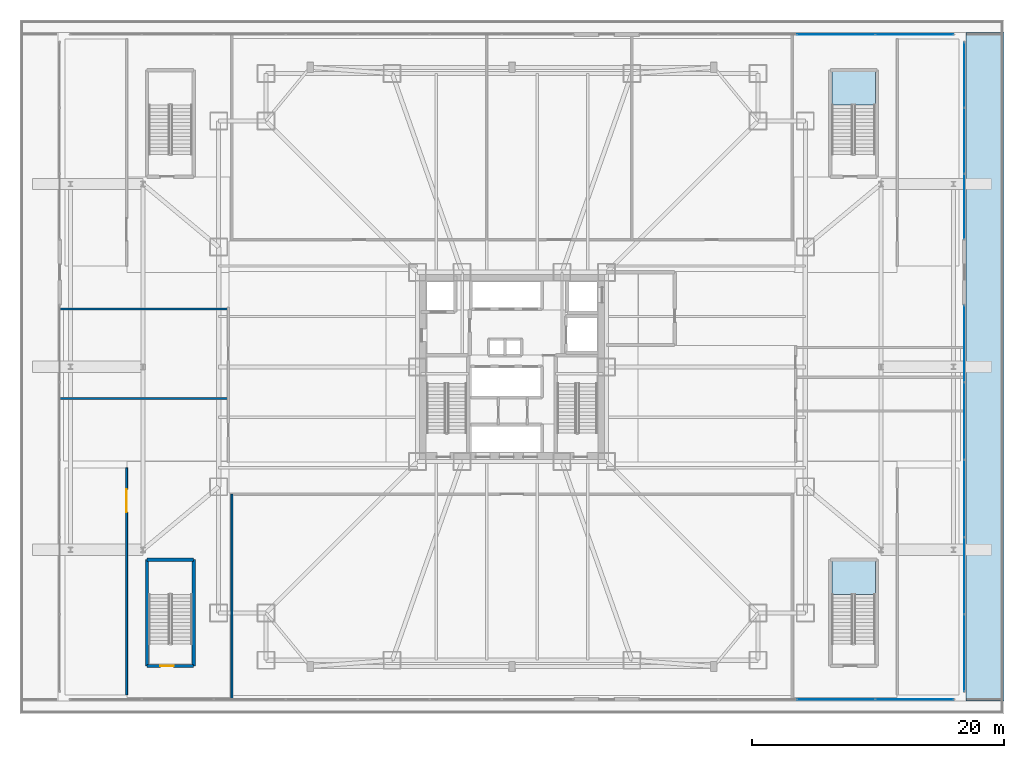
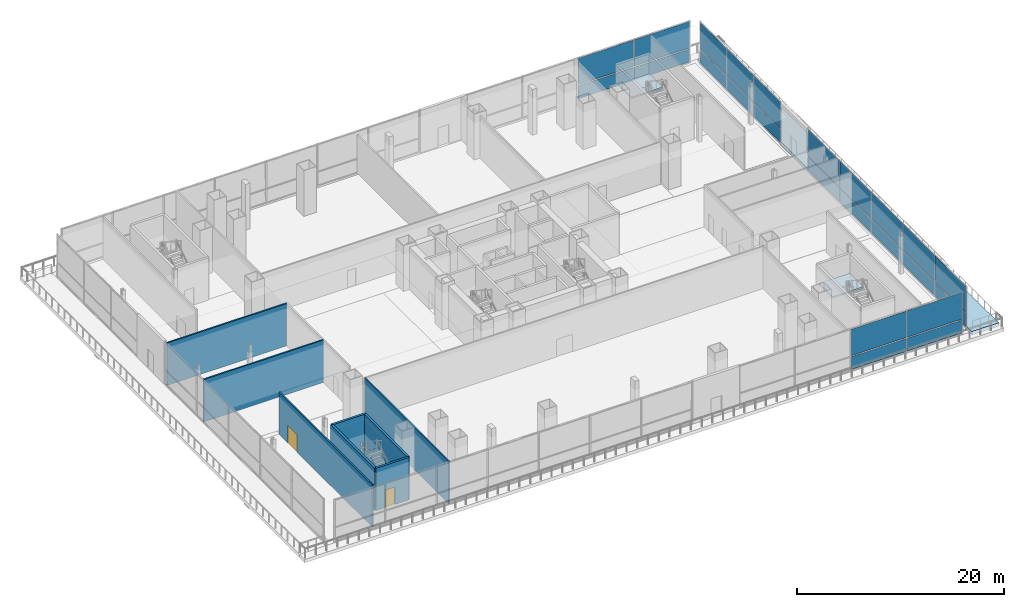
# One storey, part 21 of 35: 24 plates, 8 walls, 3 slabs, 2 doors, 2 openings, 6 elements without a shape of their own.
"""IFC4 building model written with IfcOpenShell, lengths in metres."""

from ifc_helpers import new_model, si_unit, direction, frame, frame_2d, origin, origin_2d, place, context, subcontext, project, spatial, polyline, rectangle, outline, extrude, material, layer, layer_set, type_object, element, fill, aggregate, save


model = new_model("IFC4")

# Units and contexts
model_context = context("Model", 3, precision=1e-05, world=origin(), true_north=direction((0.0, 1.0)))
body_context = subcontext(model_context, "Body", "Model", "MODEL_VIEW")
ifc_project = project(units=[si_unit("LENGTHUNIT", "METRE"), si_unit("AREAUNIT", "SQUARE_METRE"), si_unit("VOLUMEUNIT", "CUBIC_METRE"), si_unit("PLANEANGLEUNIT", "RADIAN"), si_unit("MASSUNIT", "GRAM", prefix="KILO")], contexts=[model_context])

# Site, building, storey
site_placement = place(None, origin())
site = spatial("IfcSite", under=ifc_project, at=site_placement, CompositionType="ELEMENT")
building_placement = place(site_placement, origin())
building = spatial("IfcBuilding", under=site, at=building_placement, Name="Trevonay Congress Spire", CompositionType="ELEMENT")
storey_placement = place(building_placement, frame((0.0, 0.0, 10.800048828125)))
storey = spatial("IfcBuildingStorey", under=building, at=storey_placement, Name="L02", CompositionType="ELEMENT", Elevation=10.800048828125)

# Curtain wall, plates
ifc_material_1 = material(Name="Pale Anodised Aluminium EN AW-6063-T6", Category="aluminium")
ifc_layer_1 = layer(ifc_material_1, 0.179931640625, Name="Pale Anodised Aluminium EN AW-6063-T6")
ifc_layer_set_1 = layer_set([ifc_layer_1], Name="Pale Anodised Aluminium EN AW-6063-T6")
curtain_wall_type = type_object("IfcCurtainWallType", Name="CW-SYS01-PODIUM-PALE-METAL", PredefinedType="NOTDEFINED", material=ifc_layer_set_1)
curtain_wall_1_placement = place(storey_placement, origin())
curtain_wall_1 = element("IfcCurtainWall", 1, at=curtain_wall_1_placement, inside=storey, type_object=curtain_wall_type, Name="L02 E1 podium curtain wall", PredefinedType="NOTDEFINED")
ifc_material_2 = material(Name="Insulated Low-E Vision Glass IGU", Category="glass")
ifc_layer_2 = layer(ifc_material_2, 0.035888671875, Name="Insulated Low-E Vision Glass IGU")
ifc_layer_set_2 = layer_set([ifc_layer_2], Name="Insulated Low-E Vision Glass IGU")
plate_type = type_object("IfcPlateType", Name="CW-PANEL-IGU36-SILVER", PredefinedType="CURTAIN_PANEL", material=ifc_layer_set_2)
plate_1_placement = place(storey_placement, frame((35.85009765625, -22.669921875, 0.119873046875), z_axis=(0.0, 0.0, 1.0), x_axis=(0.0, 1.0, 0.0)))
plate_1 = element("IfcPlate", 2, at=plate_1_placement, type_object=plate_type, Name="CW01 panel 1.1", PredefinedType="CURTAIN_PANEL", context=body_context, shape_type="SweptSolid", body=[
    extrude(rectangle(XDim=6.0400390625, YDim=0.035888671875, at=origin_2d()), origin(), (0.0, 0.0, 1.0), 1.52001953125),
])
plate_2_placement = place(storey_placement, frame((35.85009765625, -22.669921875, 1.760009765625), z_axis=(0.0, 0.0, 1.0), x_axis=(0.0, 1.0, 0.0)))
plate_2 = element("IfcPlate", 3, at=plate_2_placement, type_object=plate_type, Name="CW01 panel 1.2", PredefinedType="CURTAIN_PANEL", context=body_context, shape_type="SweptSolid", body=[
    extrude(rectangle(XDim=6.0400390625, YDim=0.035888671875, at=origin_2d()), origin(), (0.0, 0.0, 1.0), 3.1201171875),
])
plate_3_placement = place(storey_placement, frame((35.85009765625, -16.554931640625, 0.119873046875), z_axis=(0.0, 0.0, 1.0), x_axis=(0.0, 1.0, 0.0)))
plate_3 = element("IfcPlate", 4, at=plate_3_placement, type_object=plate_type, Name="CW01 panel 2.1", PredefinedType="CURTAIN_PANEL", context=body_context, shape_type="SweptSolid", body=[
    extrude(rectangle(XDim=6.070068359375, YDim=0.035888671875, at=origin_2d()), origin(), (0.0, 0.0, 1.0), 1.52001953125),
])
plate_4_placement = place(storey_placement, frame((35.85009765625, -16.554931640625, 1.760009765625), z_axis=(0.0, 0.0, 1.0), x_axis=(0.0, 1.0, 0.0)))
plate_4 = element("IfcPlate", 5, at=plate_4_placement, type_object=plate_type, Name="CW01 panel 2.2", PredefinedType="CURTAIN_PANEL", context=body_context, shape_type="SweptSolid", body=[
    extrude(rectangle(XDim=6.070068359375, YDim=0.035888671875, at=origin_2d()), origin(), (0.0, 0.0, 1.0), 3.1201171875),
])
plate_5_placement = place(storey_placement, frame((35.85009765625, -10.425048828125, 0.119873046875), z_axis=(0.0, 0.0, 1.0), x_axis=(0.0, 1.0, 0.0)))
plate_5 = element("IfcPlate", 6, at=plate_5_placement, type_object=plate_type, Name="CW01 panel 3.1", PredefinedType="CURTAIN_PANEL", context=body_context, shape_type="SweptSolid", body=[
    extrude(rectangle(XDim=6.070068359375, YDim=0.035888671875, at=origin_2d()), origin(), (0.0, 0.0, 1.0), 1.52001953125),
])
plate_6_placement = place(storey_placement, frame((35.85009765625, -10.425048828125, 1.760009765625), z_axis=(0.0, 0.0, 1.0), x_axis=(0.0, 1.0, 0.0)))
plate_6 = element("IfcPlate", 7, at=plate_6_placement, type_object=plate_type, Name="CW01 panel 3.2", PredefinedType="CURTAIN_PANEL", context=body_context, shape_type="SweptSolid", body=[
    extrude(rectangle(XDim=6.070068359375, YDim=0.035888671875, at=origin_2d()), origin(), (0.0, 0.0, 1.0), 3.1201171875),
])
plate_7_placement = place(storey_placement, frame((35.85009765625, -4.294921875, 0.119873046875), z_axis=(0.0, 0.0, 1.0), x_axis=(0.0, 1.0, 0.0)))
plate_7 = element("IfcPlate", 8, at=plate_7_placement, type_object=plate_type, Name="CW01 panel 4.1", PredefinedType="CURTAIN_PANEL", context=body_context, shape_type="SweptSolid", body=[
    extrude(rectangle(XDim=6.070068359375, YDim=0.035888671875, at=origin_2d()), origin(), (0.0, 0.0, 1.0), 1.52001953125),
])
plate_8_placement = place(storey_placement, frame((35.85009765625, -4.294921875, 1.760009765625), z_axis=(0.0, 0.0, 1.0), x_axis=(0.0, 1.0, 0.0)))
plate_8 = element("IfcPlate", 9, at=plate_8_placement, type_object=plate_type, Name="CW01 panel 4.2", PredefinedType="CURTAIN_PANEL", context=body_context, shape_type="SweptSolid", body=[
    extrude(rectangle(XDim=6.070068359375, YDim=0.035888671875, at=origin_2d()), origin(), (0.0, 0.0, 1.0), 3.1201171875),
])
plate_9_placement = place(storey_placement, frame((35.85009765625, 1.820068359375, 0.119873046875), z_axis=(0.0, 0.0, 1.0), x_axis=(0.0, 1.0, 0.0)))
plate_9 = element("IfcPlate", 10, at=plate_9_placement, type_object=plate_type, Name="CW01 panel 5.1", PredefinedType="CURTAIN_PANEL", context=body_context, shape_type="SweptSolid", body=[
    extrude(rectangle(XDim=6.0400390625, YDim=0.035888671875, at=origin_2d()), origin(), (0.0, 0.0, 1.0), 1.52001953125),
])
plate_10_placement = place(storey_placement, frame((35.85009765625, 1.820068359375, 1.760009765625), z_axis=(0.0, 0.0, 1.0), x_axis=(0.0, 1.0, 0.0)))
plate_10 = element("IfcPlate", 11, at=plate_10_placement, type_object=plate_type, Name="CW01 panel 5.2", PredefinedType="CURTAIN_PANEL", context=body_context, shape_type="SweptSolid", body=[
    extrude(rectangle(XDim=6.0400390625, YDim=0.035888671875, at=origin_2d()), origin(), (0.0, 0.0, 1.0), 3.1201171875),
])
aggregate(curtain_wall_1, [plate_1, plate_2, plate_3, plate_4, plate_5, plate_6, plate_7, plate_8, plate_9, plate_10])

curtain_wall_2_placement = place(storey_placement, origin())
curtain_wall_2 = element("IfcCurtainWall", 12, at=curtain_wall_2_placement, inside=storey, type_object=curtain_wall_type, Name="L02 E2 podium curtain wall", PredefinedType="NOTDEFINED")
plate_11_placement = place(storey_placement, frame((35.85009765625, 12.723388671875, 0.119873046875), z_axis=(0.0, 0.0, 1.0), x_axis=(0.0, 1.0, 0.0)))
plate_11 = element("IfcPlate", 13, at=plate_11_placement, type_object=plate_type, Name="CW01 panel 1.1", PredefinedType="CURTAIN_PANEL", context=body_context, shape_type="SweptSolid", body=[
    extrude(rectangle(XDim=5.126708984375, YDim=0.035888671875, at=origin_2d()), origin(), (0.0, 0.0, 1.0), 1.52001953125),
])
plate_12_placement = place(storey_placement, frame((35.85009765625, 12.723388671875, 1.760009765625), z_axis=(0.0, 0.0, 1.0), x_axis=(0.0, 1.0, 0.0)))
plate_12 = element("IfcPlate", 14, at=plate_12_placement, type_object=plate_type, Name="CW01 panel 1.2", PredefinedType="CURTAIN_PANEL", context=body_context, shape_type="SweptSolid", body=[
    extrude(rectangle(XDim=5.126708984375, YDim=0.035888671875, at=origin_2d()), origin(), (0.0, 0.0, 1.0), 3.1201171875),
])
plate_13_placement = place(storey_placement, frame((35.85009765625, 17.925048828125, 0.119873046875), z_axis=(0.0, 0.0, 1.0), x_axis=(0.0, 1.0, 0.0)))
plate_13 = element("IfcPlate", 15, at=plate_13_placement, type_object=plate_type, Name="CW01 panel 2.1", PredefinedType="CURTAIN_PANEL", context=body_context, shape_type="SweptSolid", body=[
    extrude(rectangle(XDim=5.15673828125, YDim=0.035888671875, at=origin_2d()), origin(), (0.0, 0.0, 1.0), 1.52001953125),
])
plate_14_placement = place(storey_placement, frame((35.85009765625, 17.925048828125, 1.760009765625), z_axis=(0.0, 0.0, 1.0), x_axis=(0.0, 1.0, 0.0)))
plate_14 = element("IfcPlate", 16, at=plate_14_placement, type_object=plate_type, Name="CW01 panel 2.2", PredefinedType="CURTAIN_PANEL", context=body_context, shape_type="SweptSolid", body=[
    extrude(rectangle(XDim=5.15673828125, YDim=0.035888671875, at=origin_2d()), origin(), (0.0, 0.0, 1.0), 3.1201171875),
])
plate_15_placement = place(storey_placement, frame((35.85009765625, 23.126708984375, 0.119873046875), z_axis=(0.0, 0.0, 1.0), x_axis=(0.0, 1.0, 0.0)))
plate_15 = element("IfcPlate", 17, at=plate_15_placement, type_object=plate_type, Name="CW01 panel 3.1", PredefinedType="CURTAIN_PANEL", context=body_context, shape_type="SweptSolid", body=[
    extrude(rectangle(XDim=5.126708984375, YDim=0.035888671875, at=origin_2d()), origin(), (0.0, 0.0, 1.0), 1.52001953125),
])
plate_16_placement = place(storey_placement, frame((35.85009765625, 23.126708984375, 1.760009765625), z_axis=(0.0, 0.0, 1.0), x_axis=(0.0, 1.0, 0.0)))
plate_16 = element("IfcPlate", 18, at=plate_16_placement, type_object=plate_type, Name="CW01 panel 3.2", PredefinedType="CURTAIN_PANEL", context=body_context, shape_type="SweptSolid", body=[
    extrude(rectangle(XDim=5.126708984375, YDim=0.035888671875, at=origin_2d()), origin(), (0.0, 0.0, 1.0), 3.1201171875),
])
aggregate(curtain_wall_2, [plate_11, plate_12, plate_13, plate_14, plate_15, plate_16])

curtain_wall_3_placement = place(storey_placement, origin())
curtain_wall_3 = element("IfcCurtainWall", 19, at=curtain_wall_3_placement, inside=storey, type_object=curtain_wall_type, Name="L02 S2 podium curtain wall", PredefinedType="NOTDEFINED")
plate_17_placement = place(storey_placement, frame((25.69384765625, -26.35009765625, 0.119873046875), z_axis=(0.0, 0.0, 1.0), x_axis=(1.0, 0.0, 0.0)))
plate_17 = element("IfcPlate", 20, at=plate_17_placement, type_object=plate_type, Name="CW01 panel 3.1", PredefinedType="CURTAIN_PANEL", context=body_context, shape_type="SweptSolid", body=[
    extrude(rectangle(XDim=6.177490234375, YDim=0.035888671875, at=origin_2d()), origin(), (0.0, 0.0, 1.0), 1.52001953125),
])
plate_18_placement = place(storey_placement, frame((25.69384765625, -26.35009765625, 1.760009765625), z_axis=(0.0, 0.0, 1.0), x_axis=(1.0, 0.0, 0.0)))
plate_18 = element("IfcPlate", 21, at=plate_18_placement, type_object=plate_type, Name="CW01 panel 3.2", PredefinedType="CURTAIN_PANEL", context=body_context, shape_type="SweptSolid", body=[
    extrude(rectangle(XDim=6.177490234375, YDim=0.035888671875, at=origin_2d()), origin(), (0.0, 0.0, 1.0), 3.1201171875),
])
plate_19_placement = place(storey_placement, frame((31.916259765625, -26.35009765625, 0.119873046875), z_axis=(0.0, 0.0, 1.0), x_axis=(1.0, 0.0, 0.0)))
plate_19 = element("IfcPlate", 22, at=plate_19_placement, type_object=plate_type, Name="CW01 panel 4.1", PredefinedType="CURTAIN_PANEL", context=body_context, shape_type="SweptSolid", body=[
    extrude(rectangle(XDim=6.1474609375, YDim=0.035888671875, at=origin_2d()), origin(), (0.0, 0.0, 1.0), 1.52001953125),
])
plate_20_placement = place(storey_placement, frame((31.916259765625, -26.35009765625, 1.760009765625), z_axis=(0.0, 0.0, 1.0), x_axis=(1.0, 0.0, 0.0)))
plate_20 = element("IfcPlate", 23, at=plate_20_placement, type_object=plate_type, Name="CW01 panel 4.2", PredefinedType="CURTAIN_PANEL", context=body_context, shape_type="SweptSolid", body=[
    extrude(rectangle(XDim=6.1474609375, YDim=0.035888671875, at=origin_2d()), origin(), (0.0, 0.0, 1.0), 3.1201171875),
])
aggregate(curtain_wall_3, [plate_17, plate_18, plate_19, plate_20])

curtain_wall_4_placement = place(storey_placement, origin())
curtain_wall_4 = element("IfcCurtainWall", 24, at=curtain_wall_4_placement, inside=storey, type_object=curtain_wall_type, Name="L02 N2 podium curtain wall", PredefinedType="NOTDEFINED")
plate_21_placement = place(storey_placement, frame((25.69384765625, 26.35009765625, 0.119873046875), z_axis=(0.0, 0.0, 1.0), x_axis=(1.0, 0.0, 0.0)))
plate_21 = element("IfcPlate", 25, at=plate_21_placement, type_object=plate_type, Name="CW01 panel 3.1", PredefinedType="CURTAIN_PANEL", context=body_context, shape_type="SweptSolid", body=[
    extrude(rectangle(XDim=6.177490234375, YDim=0.035888671875, at=origin_2d()), origin(), (0.0, 0.0, 1.0), 1.52001953125),
])
plate_22_placement = place(storey_placement, frame((25.69384765625, 26.35009765625, 1.760009765625), z_axis=(0.0, 0.0, 1.0), x_axis=(1.0, 0.0, 0.0)))
plate_22 = element("IfcPlate", 26, at=plate_22_placement, type_object=plate_type, Name="CW01 panel 3.2", PredefinedType="CURTAIN_PANEL", context=body_context, shape_type="SweptSolid", body=[
    extrude(rectangle(XDim=6.177490234375, YDim=0.035888671875, at=origin_2d()), origin(), (0.0, 0.0, 1.0), 3.1201171875),
])
plate_23_placement = place(storey_placement, frame((31.916259765625, 26.35009765625, 0.119873046875), z_axis=(0.0, 0.0, 1.0), x_axis=(1.0, 0.0, 0.0)))
plate_23 = element("IfcPlate", 27, at=plate_23_placement, type_object=plate_type, Name="CW01 panel 4.1", PredefinedType="CURTAIN_PANEL", context=body_context, shape_type="SweptSolid", body=[
    extrude(rectangle(XDim=6.1474609375, YDim=0.035888671875, at=origin_2d()), origin(), (0.0, 0.0, 1.0), 1.52001953125),
])
plate_24_placement = place(storey_placement, frame((31.916259765625, 26.35009765625, 1.760009765625), z_axis=(0.0, 0.0, 1.0), x_axis=(1.0, 0.0, 0.0)))
plate_24 = element("IfcPlate", 28, at=plate_24_placement, type_object=plate_type, Name="CW01 panel 4.2", PredefinedType="CURTAIN_PANEL", context=body_context, shape_type="SweptSolid", body=[
    extrude(rectangle(XDim=6.1474609375, YDim=0.035888671875, at=origin_2d()), origin(), (0.0, 0.0, 1.0), 3.1201171875),
])
aggregate(curtain_wall_4, [plate_21, plate_22, plate_23, plate_24])

# Stair, slab
ifc_material_3 = material(Name="Concrete C40/50", Category="concrete")
stair_type_1 = type_object("IfcStairType", Name="STR-ST-4", PredefinedType="HALF_TURN_STAIR", material=ifc_material_3)
stair_1_placement = place(storey_placement, origin())
stair_1 = element("IfcStair", 29, at=stair_1_placement, inside=storey, type_object=stair_type_1, Name="L02 Protected Exit Stair ST-4", PredefinedType="HALF_TURN_STAIR")
ifc_layer_3 = layer(ifc_material_3, 0.199951171875, Name="Concrete C40/50")
ifc_layer_set_3 = layer_set([ifc_layer_3], Name="Concrete C40/50")
slab_type_1 = type_object("IfcSlabType", Name="SLB-STAIR-LAND-200", PredefinedType="LANDING", material=ifc_layer_set_3)
slab_1_placement = place(storey_placement, frame((0.0, 0.0, 2.5)))
slab_1 = element("IfcSlab", 30, at=slab_1_placement, type_object=slab_type_1, Name="ST-4 landing 1", PredefinedType="LANDING", context=body_context, shape_type="SweptSolid", body=[
    extrude(outline(polyline([(28.800048828125, -18.030029296875), (28.800048828125, -15.39990234375), (25.35009765625, -15.39990234375), (25.35009765625, -18.030029296875), (28.800048828125, -18.030029296875)])), origin(), (0.0, 0.0, 1.0), 0.199951171875),
])
aggregate(stair_1, [slab_1])

stair_type_2 = type_object("IfcStairType", Name="STR-ST-6", PredefinedType="HALF_TURN_STAIR", material=ifc_material_3)
stair_2_placement = place(storey_placement, origin())
stair_2 = element("IfcStair", 31, at=stair_2_placement, inside=storey, type_object=stair_type_2, Name="L02 Protected Exit Stair ST-6", PredefinedType="HALF_TURN_STAIR")
slab_2_placement = place(storey_placement, frame((0.0, 0.0, 2.5)))
slab_2 = element("IfcSlab", 32, at=slab_2_placement, type_object=slab_type_1, Name="ST-6 landing 1", PredefinedType="LANDING", context=body_context, shape_type="SweptSolid", body=[
    extrude(outline(polyline([(28.800048828125, 20.77001953125), (28.800048828125, 23.39990234375), (25.35009765625, 23.39990234375), (25.35009765625, 20.77001953125), (28.800048828125, 20.77001953125)])), origin(), (0.0, 0.0, 1.0), 0.199951171875),
])
aggregate(stair_2, [slab_2])

# Slab
ifc_layer_4 = layer(ifc_material_3, 0.39990234375, Name="Concrete C40/50")
ifc_layer_set_4 = layer_set([ifc_layer_4], Name="Concrete C40/50")
slab_type_2 = type_object("IfcSlabType", Name="SLB-TERR-260", PredefinedType="ROOF", material=ifc_layer_set_4)
slab_3_placement = place(storey_placement, frame((0.0, 0.0, -0.400146484375)))
element("IfcSlab", 33, at=slab_3_placement, inside=storey, type_object=slab_type_2, Name="L02 East stepped podium roof terrace", PredefinedType="ROOF", context=body_context, shape_type="SweptSolid", body=[
    extrude(outline(polyline([(36.0, -26.5), (39.0, -26.5), (39.0, 26.5), (36.0, 26.5), (36.0, -26.5)])), origin(), (0.0, 0.0, 1.0), 0.400146484375),
])

# Wall, opening, door
ifc_layer_5 = layer(ifc_material_3, 0.14990234375, Name="Concrete C40/50")
ifc_layer_set_5 = layer_set([ifc_layer_5], Name="Concrete C40/50")
wall_type_1 = type_object("IfcWallType", Name="WAL-CORR-150", PredefinedType="PARTITIONING", material=ifc_layer_set_5)
wall_1_placement = place(storey_placement, frame((-30.550048828125, -26.0, 0.0), z_axis=(0.0, 0.0, 1.0), x_axis=(0.0, 1.0, 0.0)))
wall_1 = element("IfcWall", 34, at=wall_1_placement, inside=storey, type_object=wall_type_1, Name="L02 interior wall WL02-XSW", PredefinedType="PARTITIONING", context=body_context, shape_type="SweptSolid", body=[
    extrude(rectangle(XDim=18.0, YDim=0.14990234375, at=frame_2d((9.0, 0.0))), origin(), (0.0, 0.0, 1.0), 5.0),
])
opening_1_placement = place(wall_1_placement, frame((14.5, 0.0, 0.0)))
opening_1 = element("IfcOpeningElement", 35, at=opening_1_placement, cuts=wall_1, Name="Opening D09", PredefinedType="OPENING", context=body_context, shape_type="SweptSolid", body=[
    extrude(rectangle(XDim=1.800048828125, YDim=2.080078125, at=frame_2d((0.89990234375, 1.0400390625))), frame((0.0, 0.0849609375, 0.0), z_axis=(0.0, -1.0, 0.0), x_axis=(1.0, 0.0, 0.0)), (0.0, 0.0, 1.0), 0.169921875),
])
door_type_1 = type_object("IfcDoorType", Name="DOR-CONF-DBL", OperationType="DOUBLE_DOOR_SINGLE_SWING", PredefinedType="DOOR", material=ifc_material_1)
door_1_placement = place(opening_1_placement, origin())
door_1 = element("IfcDoor", 36, at=door_1_placement, inside=storey, type_object=door_type_1, Name="L02 L02 South-West Exhibition Salon Door", OperationType="DOUBLE_DOOR_SINGLE_SWING", OverallHeight=2.080078125, OverallWidth=1.800048828125, PredefinedType="DOOR", context=body_context, shape_type="SweptSolid", body=[
    extrude(rectangle(XDim=1.800048828125, YDim=2.080078125, at=frame_2d((0.89990234375, 1.0400390625))), frame((0.0, 0.02490234375, 0.0), z_axis=(0.0, -1.0, 0.0), x_axis=(1.0, 0.0, 0.0)), (0.0, 0.0, 1.0), 0.050048828125),
])
fill(opening_1, door_1)

# Wall
ifc_layer_6 = layer(ifc_material_3, 0.14990234375, Name="Concrete C40/50")
ifc_layer_set_6 = layer_set([ifc_layer_6], Name="Concrete C40/50")
wall_type_2 = type_object("IfcWallType", Name="WAL-PART-150", PredefinedType="PARTITIONING", material=ifc_layer_set_6)
wall_2_placement = place(storey_placement, frame((-22.199951171875, -26.35009765625, 0.0), z_axis=(0.0, 0.0, 1.0), x_axis=(0.0, 1.0, 0.0)))
element("IfcWall", 37, at=wall_2_placement, inside=storey, type_object=wall_type_2, Name="L02 interior wall WP-L02S-DIV1", PredefinedType="PARTITIONING", context=body_context, shape_type="SweptSolid", body=[
    extrude(rectangle(XDim=16.27001953125, YDim=0.14990234375, at=frame_2d((8.135009765625, 0.0))), origin(), (0.0, 0.0, 1.0), 5.0),
])

# Wall, opening, door
ifc_layer_7 = layer(ifc_material_3, 0.25, Name="Concrete C40/50")
ifc_layer_set_7 = layer_set([ifc_layer_7], Name="Concrete C40/50")
wall_type_3 = type_object("IfcWallType", Name="WAL-SHAFT-LB-250", PredefinedType="SHEAR", material=ifc_layer_set_7)
wall_3_placement = place(storey_placement, frame((-28.919921875, -23.719970703125, 0.0), z_axis=(0.0, 0.0, 1.0), x_axis=(1.0, 0.0, 0.0)))
wall_3 = element("IfcWall", 38, at=wall_3_placement, inside=storey, type_object=wall_type_3, Name="L02 interior shaft wall WSH-L02-ST-3-S", PredefinedType="SHEAR", context=body_context, shape_type="SweptSolid", body=[
    extrude(rectangle(XDim=3.68994140625, YDim=0.25, at=frame_2d((1.844970703125, 0.0))), origin(), (0.0, 0.0, 1.0), 5.0),
])
opening_2_placement = place(wall_3_placement, frame((1.050048828125, 0.0, 0.0)))
opening_2 = element("IfcOpeningElement", 39, at=opening_2_placement, cuts=wall_3, Name="Opening D05", PredefinedType="OPENING", context=body_context, shape_type="SweptSolid", body=[
    extrude(rectangle(XDim=1.050048828125, YDim=2.080078125, at=frame_2d((0.52490234375, 1.0400390625))), frame((0.0, 0.135009765625, 0.0), z_axis=(0.0, -1.0, 0.0), x_axis=(1.0, 0.0, 0.0)), (0.0, 0.0, 1.0), 0.27001953125),
])
ifc_material_4 = material(Name="Steel ASTM A572 Grade 50", Category="steel")
door_type_2 = type_object("IfcDoorType", Name="DOR-STAIR-110", OperationType="NOTDEFINED", PredefinedType="DOOR", material=ifc_material_4)
door_2_placement = place(opening_2_placement, origin())
door_2 = element("IfcDoor", 40, at=door_2_placement, inside=storey, type_object=door_type_2, Name="L02 Escape Stair ST-3 Door", OperationType="SINGLE_SWING_RIGHT", OverallHeight=2.080078125, OverallWidth=1.050048828125, PredefinedType="DOOR", context=body_context, shape_type="SweptSolid", body=[
    extrude(rectangle(XDim=1.050048828125, YDim=2.080078125, at=frame_2d((0.52490234375, 1.0400390625))), frame((0.0, 0.02490234375, 0.0), z_axis=(0.0, -1.0, 0.0), x_axis=(1.0, 0.0, 0.0)), (0.0, 0.0, 1.0), 0.050048828125),
])
fill(opening_2, door_2)

# Walls
wall_4_placement = place(storey_placement, frame((-28.919921875, -15.280029296875, 0.0), z_axis=(0.0, 0.0, 1.0), x_axis=(1.0, 0.0, 0.0)))
element("IfcWall", 41, at=wall_4_placement, inside=storey, type_object=wall_type_3, Name="L02 interior shaft wall WSH-L02-ST-3-N", PredefinedType="SHEAR", context=body_context, shape_type="SweptSolid", body=[
    extrude(rectangle(XDim=3.68994140625, YDim=0.25, at=frame_2d((1.844970703125, 0.0))), origin(), (0.0, 0.0, 1.0), 5.0),
])
for number, where, z_axis, x_axis, name in (
    (42, (-28.919921875, -23.719970703125, 0.0), (0.0, 0.0, 1.0), (0.0, 1.0, 0.0), "L02 interior shaft wall WSH-L02-ST-3-W"),
    (43, (-25.22998046875, -23.719970703125, 0.0), (0.0, 0.0, 1.0), (0.0, 1.0, 0.0), "L02 interior shaft wall WSH-L02-ST-3-E"),
):
    element("IfcWall", number, at=place(storey_placement, frame(where, z_axis=z_axis, x_axis=x_axis)), inside=storey, type_object=wall_type_3, Name=name, PredefinedType="SHEAR", context=body_context, shape_type="SweptSolid", body=[
        extrude(rectangle(XDim=8.43994140625, YDim=0.25, at=frame_2d((4.219970703125, 0.0))), origin(), (0.0, 0.0, 1.0), 5.0),
    ])
ifc_layer_8 = layer(ifc_material_3, 0.1650390625, Name="Concrete C40/50")
ifc_layer_set_8 = layer_set([ifc_layer_8], Name="Concrete C40/50")
wall_type_4 = type_object("IfcWallType", Name="WAL-WET-165", PredefinedType="PLUMBINGWALL", material=ifc_layer_set_8)
for number, where, z_axis, x_axis, name in (
    (44, (-35.85009765625, -2.5, 0.0), (0.0, 0.0, 1.0), (1.0, 0.0, 0.0), "L02 interior wall WP-L02W-DIV1"),
    (45, (-35.85009765625, 4.60009765625, 0.0), (0.0, 0.0, 1.0), (1.0, 0.0, 0.0), "L02 interior wall WP-L02W-DIV2"),
):
    element("IfcWall", number, at=place(storey_placement, frame(where, z_axis=z_axis, x_axis=x_axis)), inside=storey, type_object=wall_type_4, Name=name, PredefinedType="PLUMBINGWALL", context=body_context, shape_type="SweptSolid", body=[
        extrude(rectangle(XDim=13.3701171875, YDim=0.1650390625, at=frame_2d((6.68505859375, 0.0))), origin(), (0.0, 0.0, 1.0), 5.0),
    ])

save(model, "model.ifc")
